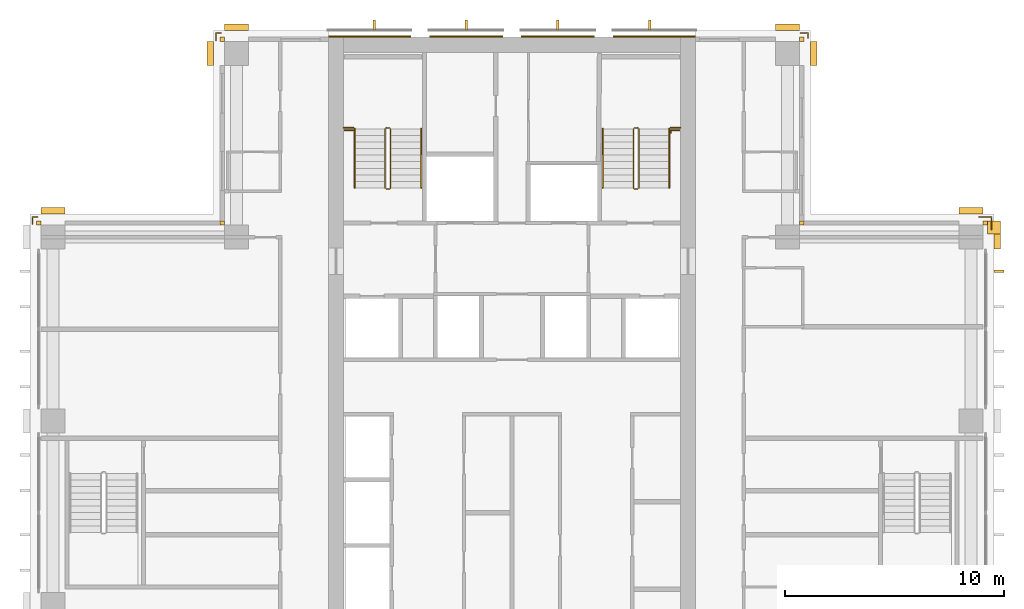
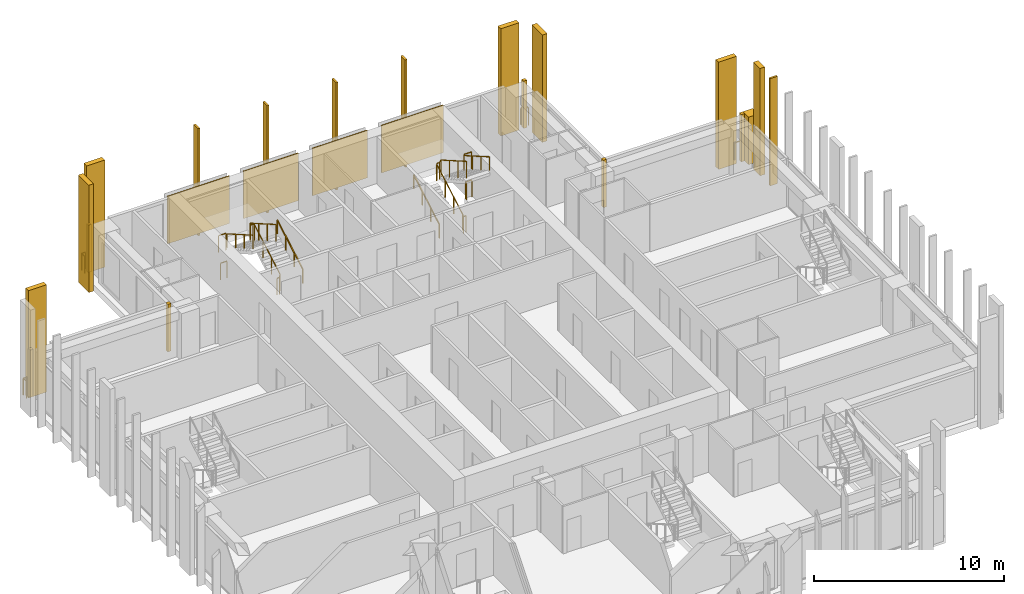
# One storey, part 16 of 16: 23 coverings, 14 railings.
"""IFC4 building model written with IfcOpenShell, lengths in metres."""

import ifcopenshell
import ifcopenshell.guid

model = None  # the IFC model being written
_history = None  # IfcOwnerHistory: only IFC2X3 demands one
_inside = {}  # id of a spatial element -> (the spatial element, [elements in it])
_under = {}  # id of a project, library or spatial element -> (it, [spatial elements below it])
_declared = {}  # id of a project -> (the project, [libraries it declares])
_typed = {}  # id of a type object -> (the type object, [elements of that type])
_made_of = {}  # id of a material, layer set ... -> (it, [elements and type objects made of it])


def new_model(schema):
    """Start an empty IFC model of exactly this schema.

    Asked for "IFC4X3", IfcOpenShell would pick the latest addendum, in which some entities
    have other attributes; the version numbers below select the first issue.
    IFC2X3 requires an IfcOwnerHistory on every rooted entity: one is made here for all.
    """
    global model, _history
    if schema == "IFC4X3":
        model = ifcopenshell.file(schema_version=(4, 3, 0, 0))
    else:
        model = ifcopenshell.file(schema=schema)
    _inside.clear()
    _under.clear()
    _declared.clear()
    _typed.clear()
    _made_of.clear()
    _history = None
    if model.schema == "IFC2X3":
        org = make("IfcOrganization", Name="unknown")
        user = make(
            "IfcPersonAndOrganization",
            ThePerson=make("IfcPerson", FamilyName="unknown"),
            TheOrganization=org,
        )
        app = make(
            "IfcApplication",
            ApplicationDeveloper=org,
            Version="unknown",
            ApplicationFullName="unknown",
            ApplicationIdentifier="unknown",
        )
        _history = make(
            "IfcOwnerHistory",
            OwningUser=user,
            OwningApplication=app,
            ChangeAction="ADDED",
            CreationDate=0,
        )
    return model


def make(cls, **values):
    """One entity of the class cls with the attributes given. An attribute that is None is left unset."""
    return model.create_entity(
        cls, **{name: value for name, value in values.items() if value is not None}
    )


def rooted(cls, **values):
    """An entity with a GlobalId (a new one), such as an element, a storey or a relation."""
    return make(cls, GlobalId=ifcopenshell.guid.new(), OwnerHistory=_history, **values)


def si_unit(unit_type, name, prefix=None):
    """IfcSIUnit, for example si_unit("LENGTHUNIT", "METRE", prefix="MILLI")."""
    return make("IfcSIUnit", UnitType=unit_type, Prefix=prefix, Name=name)


def assignment(units):
    """IfcUnitAssignment: the units of a project."""
    return None if units is None else make("IfcUnitAssignment", Units=units)


def point(xyz):
    """IfcCartesianPoint."""
    return None if xyz is None else make("IfcCartesianPoint", Coordinates=xyz)


def direction(xyz):
    """IfcDirection."""
    return None if xyz is None else make("IfcDirection", DirectionRatios=xyz)


def frame(location, z_axis=None, x_axis=None):
    """IfcAxis2Placement3D, a coordinate frame: its origin and axes. An axis left out is left unset."""
    return make(
        "IfcAxis2Placement3D",
        Location=point(location),
        Axis=direction(z_axis),
        RefDirection=direction(x_axis),
    )


def frame_2d(location, x_axis=None):
    """IfcAxis2Placement2D, a coordinate frame in the plane: its origin and x axis."""
    return make(
        "IfcAxis2Placement2D", Location=point(location), RefDirection=direction(x_axis)
    )


def origin():
    """The frame at (0, 0, 0) with its axes left unset."""
    return frame((0.0, 0.0, 0.0))


def origin_2d():
    """The frame at (0, 0) in the plane with its x axis left unset."""
    return frame_2d((0.0, 0.0))


def place(relative_to, where):
    """IfcLocalPlacement: puts the frame where relative to a parent placement (None: the world)."""
    return make(
        "IfcLocalPlacement", PlacementRelTo=relative_to, RelativePlacement=where
    )


def context(
    kind, dimensions, precision=None, world=None, true_north=None, identifier=None
):
    """IfcGeometricRepresentationContext, for example the 3D "Model" context."""
    return make(
        "IfcGeometricRepresentationContext",
        ContextIdentifier=identifier,
        ContextType=kind,
        CoordinateSpaceDimension=dimensions,
        Precision=precision,
        WorldCoordinateSystem=world,
        TrueNorth=true_north,
    )


def subcontext(parent, identifier, kind, view, scale=None):
    """IfcGeometricRepresentationSubContext, for example "Body" below "Model"."""
    return make(
        "IfcGeometricRepresentationSubContext",
        ContextIdentifier=identifier,
        ContextType=kind,
        ParentContext=parent,
        TargetScale=scale,
        TargetView=view,
    )


def project(units=None, contexts=None):
    """IfcProject with its units and contexts."""
    return rooted(
        "IfcProject",
        Name="project",
        RepresentationContexts=contexts,
        UnitsInContext=assignment(units),
    )


def spatial(cls, under=None, at=None, **own):
    """A site, building, storey or space (cls), placed at a placement, below another one or the project."""
    s = rooted(cls, ObjectPlacement=at, **own)
    if under is not None:
        _under.setdefault(under.id(), (under, []))[1].append(s)
    return s


def polyline(points):
    """IfcPolyline through the points."""
    return make("IfcPolyline", Points=[point(p) for p in points])


def profile(cls, at=None, kind="AREA", **sizes):
    """A parametric profile (cls). Its sizes go by their IFC names, for example OverallWidth=200.0."""
    return make(cls, ProfileType=kind, Position=at, **sizes)


def rectangle(**sizes):
    """IfcRectangleProfileDef."""
    return profile("IfcRectangleProfileDef", **sizes)


def outline(outer, holes=None, kind="AREA"):
    """IfcArbitraryClosedProfileDef: a profile drawn as a closed curve; with holes, ...WithVoids."""
    if holes is None:
        return make("IfcArbitraryClosedProfileDef", ProfileType=kind, OuterCurve=outer)
    return make(
        "IfcArbitraryProfileDefWithVoids",
        ProfileType=kind,
        OuterCurve=outer,
        InnerCurves=holes,
    )


def extrude(swept, where, along, depth):
    """IfcExtrudedAreaSolid: the profile swept, set in the frame where, extruded along a direction by depth."""
    return make(
        "IfcExtrudedAreaSolid",
        SweptArea=swept,
        Position=where,
        ExtrudedDirection=direction(along),
        Depth=depth,
    )


def shape(context_of_items, identifier, shape_type, items):
    """IfcShapeRepresentation: the items that make up one representation, for example the "Body"."""
    return make(
        "IfcShapeRepresentation",
        ContextOfItems=context_of_items,
        RepresentationIdentifier=identifier,
        RepresentationType=shape_type,
        Items=items,
    )


def material(Name=None, Category=None):
    """IfcMaterial."""
    return make("IfcMaterial", Name=Name, Category=Category)


def layer(
    of_material, thickness, ventilated=None, Name=None, Category=None, Priority=None
):
    """IfcMaterialLayer: one layer of a wall or slab, of a material (None: an air gap)."""
    return make(
        "IfcMaterialLayer",
        Material=of_material,
        LayerThickness=thickness,
        IsVentilated=ventilated,
        Name=Name,
        Category=Category,
        Priority=Priority,
    )


def layer_set(layers, Name=None):
    """IfcMaterialLayerSet."""
    return make("IfcMaterialLayerSet", MaterialLayers=layers, LayerSetName=Name)


def made_of(thing, what):
    """Note that an element or type object is made of a material, layer set ...; save() writes the relation."""
    if what is not None:
        _made_of.setdefault(what.id(), (what, []))[1].append(thing)
    return thing


def type_object(cls, material=None, **own):
    """A type object (cls), such as IfcWallType, which elements share."""
    return made_of(rooted(cls, **own), material)


def element(
    cls,
    number,
    at=None,
    inside=None,
    cuts=None,
    type_object=None,
    material=None,
    context=None,
    identifier="Body",
    shape_type=None,
    held_by="IfcProductDefinitionShape",
    body=None,
    shapes=None,
    **own,
):
    """One element of the class cls, such as IfcWall. Its Tag is "e" and its number.

    at: its placement. inside: the storey or other place that contains it. cuts: it is an
    opening in that element (IfcRelVoidsElement). A single representation is given by context,
    identifier, shape_type and body (its items); several are given by shapes. held_by: the class
    of the entity that holds the representations. save() writes the other relations.
    """
    e = rooted(cls, Tag="e%d" % number, ObjectPlacement=at, **own)
    if body is not None:
        shapes = [shape(context, identifier, shape_type, body)]
    if shapes is not None:
        e.Representation = make(held_by, Representations=shapes)
    if inside is not None:
        _inside.setdefault(inside.id(), (inside, []))[1].append(e)
    if cuts is not None:
        rooted(
            "IfcRelVoidsElement", RelatingBuildingElement=cuts, RelatedOpeningElement=e
        )
    if type_object is not None:
        _typed.setdefault(type_object.id(), (type_object, []))[1].append(e)
    return made_of(e, material)


def aggregate(whole, parts):
    """IfcRelAggregates: a whole, such as a stair, and the parts it consists of."""
    return rooted("IfcRelAggregates", RelatingObject=whole, RelatedObjects=parts)


def save(model, path):
    """Write the relations noted so far, then the file.

    IfcRelAggregates (storeys below a building ...), IfcRelContainedInSpatialStructure (elements
    in a storey), IfcRelDefinesByType, IfcRelAssociatesMaterial and IfcRelDeclares: one each for
    every whole, place, type object, material and project.
    """
    for whole, parts in _under.values():
        aggregate(whole, parts)
    for where, things in _inside.values():
        rooted(
            "IfcRelContainedInSpatialStructure",
            RelatedElements=things,
            RelatingStructure=where,
        )
    for kind, things in _typed.values():
        rooted("IfcRelDefinesByType", RelatedObjects=things, RelatingType=kind)
    for what, things in _made_of.values():
        rooted("IfcRelAssociatesMaterial", RelatedObjects=things, RelatingMaterial=what)
    for by, libraries in _declared.values():
        rooted("IfcRelDeclares", RelatingContext=by, RelatedDefinitions=libraries)
    model.write(path)


model = new_model("IFC4")

# Units and contexts
model_context = context("Model", 3, precision=1e-05, world=origin(), true_north=direction((0.0, 1.0)))
body_context = subcontext(model_context, "Body", "Model", "MODEL_VIEW")
ifc_project = project(units=[si_unit("LENGTHUNIT", "METRE"), si_unit("AREAUNIT", "SQUARE_METRE"), si_unit("VOLUMEUNIT", "CUBIC_METRE"), si_unit("PLANEANGLEUNIT", "RADIAN"), si_unit("MASSUNIT", "GRAM", prefix="KILO")], contexts=[model_context])

# Site, building, storey
site_placement = place(None, origin())
site = spatial("IfcSite", under=ifc_project, at=site_placement, CompositionType="ELEMENT")
building_placement = place(site_placement, origin())
building = spatial("IfcBuilding", under=site, at=building_placement, Name="Vermilion Ogive Tower", CompositionType="ELEMENT")
storey_placement = place(building_placement, frame((0.0, 0.0, 150.35009765625)))
storey = spatial("IfcBuildingStorey", under=building, at=storey_placement, Name="L38", CompositionType="ELEMENT", Elevation=150.35009765625)

# Coverings
ifc_material_1 = material(Name="Glazed ceramic screen")
ifc_layer = layer(ifc_material_1, 0.14990234375)
ifc_layer_set = layer_set([ifc_layer], Name="Ceramic solar screen fin")
covering_type_1 = type_object("IfcCoveringType", Name="Ceramic solar screen fin", PredefinedType="CLADDING", material=ifc_layer_set)
covering_1_placement = place(storey_placement, frame((0.0, 0.0, -0.400146484375)))
element("IfcCovering", 1, at=covering_1_placement, inside=storey, type_object=covering_type_1, Name="Solar screen blade E022", PredefinedType="CLADDING", context=body_context, shape_type="SweptSolid", body=[
    extrude(outline(polyline([(22.5, 10.9775390625), (22.5, 11.097412109375), (22.050048828125, 11.097412109375), (22.050048828125, 10.9775390625), (22.5, 10.9775390625)])), origin(), (0.0, 0.0, 1.0), 6.900146484375),
])
covering_2_placement = place(storey_placement, frame((0.0, 0.0, -0.400146484375)))
element("IfcCovering", 2, at=covering_2_placement, inside=storey, type_object=covering_type_1, Name="Solar screen blade N1", PredefinedType="CLADDING", context=body_context, shape_type="SweptSolid", body=[
    extrude(outline(polyline([(-6.360107421875, 22.08203125), (-6.239990234375, 22.08203125), (-6.239990234375, 22.531982421875), (-6.360107421875, 22.531982421875), (-6.360107421875, 22.08203125)])), origin(), (0.0, 0.0, 1.0), 6.900146484375),
])
covering_3_placement = place(storey_placement, frame((0.0, 0.0, -0.400146484375)))
element("IfcCovering", 3, at=covering_3_placement, inside=storey, type_object=covering_type_1, Name="Solar screen blade N2", PredefinedType="CLADDING", context=body_context, shape_type="SweptSolid", body=[
    extrude(outline(polyline([(-2.159912109375, 22.08203125), (-2.0400390625, 22.08203125), (-2.0400390625, 22.531982421875), (-2.159912109375, 22.531982421875), (-2.159912109375, 22.08203125)])), origin(), (0.0, 0.0, 1.0), 6.900146484375),
])
covering_4_placement = place(storey_placement, frame((0.0, 0.0, -0.400146484375)))
element("IfcCovering", 4, at=covering_4_placement, inside=storey, type_object=covering_type_1, Name="Solar screen blade N3", PredefinedType="CLADDING", context=body_context, shape_type="SweptSolid", body=[
    extrude(outline(polyline([(2.0400390625, 22.08203125), (2.159912109375, 22.08203125), (2.159912109375, 22.531982421875), (2.0400390625, 22.531982421875), (2.0400390625, 22.08203125)])), origin(), (0.0, 0.0, 1.0), 6.900146484375),
])
covering_5_placement = place(storey_placement, frame((0.0, 0.0, -0.400146484375)))
element("IfcCovering", 5, at=covering_5_placement, inside=storey, type_object=covering_type_1, Name="Solar screen blade N4", PredefinedType="CLADDING", context=body_context, shape_type="SweptSolid", body=[
    extrude(outline(polyline([(6.239990234375, 22.08203125), (6.360107421875, 22.08203125), (6.360107421875, 22.531982421875), (6.239990234375, 22.531982421875), (6.239990234375, 22.08203125)])), origin(), (0.0, 0.0, 1.0), 6.900146484375),
])

# Railings
ifc_material_2 = material(Name="Stainless steel", Category="steel")
railing_type_1 = type_object("IfcRailingType", Name="Slab edge guard SG1", PredefinedType="GUARDRAIL", material=ifc_material_2)
railing_1_placement = place(storey_placement, frame((-21.929931640625, 13.199951171875, 0.0)))
element("IfcRailing", 6, at=railing_1_placement, inside=storey, type_object=railing_type_1, Name="L38 slab corner guard", PredefinedType="GUARDRAIL", context=body_context, shape_type="SweptSolid", body=[
    extrude(rectangle(XDim=0.050048828125, YDim=0.050048828125, at=origin_2d()), frame((0.0, 0.0, 1.0751953125), z_axis=(0.0, 1.0, 0.0), x_axis=(-1.0, 0.0, 0.0)), (0.0, 0.0, 1.0), 0.330078125),
    extrude(rectangle(XDim=0.050048828125, YDim=0.050048828125, at=origin_2d()), frame((0.0, 0.330078125, 1.0751953125), z_axis=(1.0, 0.0, 0.0), x_axis=(0.0, 1.0, 0.0)), (0.0, 0.0, 1.0), 0.22998046875),
    extrude(rectangle(XDim=0.050048828125, YDim=0.050048828125, at=origin_2d()), origin(), (0.0, 0.0, 1.0), 1.050048828125),
    extrude(rectangle(XDim=0.050048828125, YDim=0.050048828125, at=origin_2d()), frame((0.0, 0.330078125, 0.0)), (0.0, 0.0, 1.0), 1.050048828125),
    extrude(rectangle(XDim=0.050048828125, YDim=0.050048828125, at=origin_2d()), frame((0.22998046875, 0.330078125, 0.0)), (0.0, 0.0, 1.0), 1.050048828125),
])
railing_2_placement = place(storey_placement, frame((-13.530029296875, 21.60009765625, 0.0)))
element("IfcRailing", 7, at=railing_2_placement, inside=storey, type_object=railing_type_1, Name="L38 slab corner guard", PredefinedType="GUARDRAIL", context=body_context, shape_type="SweptSolid", body=[
    extrude(rectangle(XDim=0.050048828125, YDim=0.050048828125, at=origin_2d()), frame((0.0, 0.0, 1.0751953125), z_axis=(0.0, 1.0, 0.0), x_axis=(-1.0, 0.0, 0.0)), (0.0, 0.0, 1.0), 0.329833984375),
    extrude(rectangle(XDim=0.050048828125, YDim=0.050048828125, at=origin_2d()), frame((0.0, 0.329833984375, 1.0751953125), z_axis=(1.0, 0.0, 0.0), x_axis=(0.0, 1.0, 0.0)), (0.0, 0.0, 1.0), 0.22998046875),
    extrude(rectangle(XDim=0.050048828125, YDim=0.050048828125, at=origin_2d()), origin(), (0.0, 0.0, 1.0), 1.050048828125),
    extrude(rectangle(XDim=0.050048828125, YDim=0.050048828125, at=origin_2d()), frame((0.0, 0.329833984375, 0.0)), (0.0, 0.0, 1.0), 1.050048828125),
    extrude(rectangle(XDim=0.050048828125, YDim=0.050048828125, at=origin_2d()), frame((0.22998046875, 0.329833984375, 0.0)), (0.0, 0.0, 1.0), 1.050048828125),
])
railing_3_placement = place(storey_placement, frame((13.199951171875, 21.929931640625, 0.0)))
element("IfcRailing", 8, at=railing_3_placement, inside=storey, type_object=railing_type_1, Name="L38 slab corner guard", PredefinedType="GUARDRAIL", context=body_context, shape_type="SweptSolid", body=[
    extrude(rectangle(XDim=0.050048828125, YDim=0.050048828125, at=origin_2d()), frame((0.0, 0.0, 1.0751953125), z_axis=(1.0, 0.0, 0.0), x_axis=(0.0, 1.0, 0.0)), (0.0, 0.0, 1.0), 0.330078125),
    extrude(rectangle(XDim=0.050048828125, YDim=0.050048828125, at=origin_2d()), frame((0.330078125, 0.0, 1.0751953125), z_axis=(0.0, -1.0, 0.0), x_axis=(1.0, 0.0, 0.0)), (0.0, 0.0, 1.0), 0.22998046875),
    extrude(rectangle(XDim=0.050048828125, YDim=0.050048828125, at=origin_2d()), origin(), (0.0, 0.0, 1.0), 1.050048828125),
    extrude(rectangle(XDim=0.050048828125, YDim=0.050048828125, at=origin_2d()), frame((0.330078125, 0.0, 0.0)), (0.0, 0.0, 1.0), 1.050048828125),
    extrude(rectangle(XDim=0.050048828125, YDim=0.050048828125, at=origin_2d()), frame((0.330078125, -0.22998046875, 0.0)), (0.0, 0.0, 1.0), 1.050048828125),
])
railing_4_placement = place(storey_placement, frame((21.929931640625, 12.949951171875, 0.0)))
element("IfcRailing", 9, at=railing_4_placement, inside=storey, type_object=railing_type_1, Name="L38 slab corner guard", PredefinedType="GUARDRAIL", context=body_context, shape_type="SweptSolid", body=[
    extrude(rectangle(XDim=0.050048828125, YDim=0.050048828125, at=origin_2d()), frame((0.0, 0.0, 1.0751953125), z_axis=(0.0, 1.0, 0.0), x_axis=(-1.0, 0.0, 0.0)), (0.0, 0.0, 1.0), 0.580078125),
    extrude(rectangle(XDim=0.050048828125, YDim=0.050048828125, at=origin_2d()), frame((0.0, 0.580078125, 1.0751953125), z_axis=(-1.0, 0.0, 0.0), x_axis=(0.0, -1.0, 0.0)), (0.0, 0.0, 1.0), 0.579833984375),
    extrude(rectangle(XDim=0.050048828125, YDim=0.050048828125, at=origin_2d()), origin(), (0.0, 0.0, 1.0), 1.050048828125),
    extrude(rectangle(XDim=0.050048828125, YDim=0.050048828125, at=origin_2d()), frame((0.0, 0.580078125, 0.0)), (0.0, 0.0, 1.0), 1.050048828125),
    extrude(rectangle(XDim=0.050048828125, YDim=0.050048828125, at=origin_2d()), frame((-0.579833984375, 0.580078125, 0.0)), (0.0, 0.0, 1.0), 1.050048828125),
])
ifc_material_3 = material(Name="Steel S355 painted", Category="steel")
railing_type_2 = type_object("IfcRailingType", Name="Stair guard 1100", PredefinedType="GUARDRAIL", material=ifc_material_3)
railing_5_placement = place(storey_placement, frame((-5.75, 14.800048828125, 0.0)))
element("IfcRailing", 10, at=railing_5_placement, inside=storey, type_object=railing_type_2, Name="L38 ST1 stair guard 4", PredefinedType="GUARDRAIL", context=body_context, shape_type="SweptSolid", body=[
    extrude(rectangle(XDim=0.048095703125, YDim=0.048095703125, at=origin_2d()), frame((0.0, 0.0, 1.076171875), z_axis=(1.0, 0.0, 0.0), x_axis=(0.0, 1.0, 0.0)), (0.0, 0.0, 1.0), 0.14990234375),
    extrude(rectangle(XDim=0.048095703125, YDim=0.048095703125, at=origin_2d()), frame((0.14990234375, 0.0, 1.076171875), z_axis=(0.268603158521, 0.268603158521, 0.925043072762), x_axis=(-0.707106781187, 0.707106781187, 0.0)), (0.0, 0.0, 1.0), 0.186279296875),
    extrude(rectangle(XDim=0.048095703125, YDim=0.048095703125, at=origin_2d()), frame((0.199951171875, 0.050048828125, 1.24853515625), z_axis=(0.0, 0.866903762492, 0.498475542607), x_axis=(-1.0, 0.0, 0.0)), (0.0, 0.0, 1.0), 3.114501953125),
    extrude(rectangle(XDim=0.048095703125, YDim=0.048095703125, at=origin_2d()), frame((0.199951171875, 2.75, 2.80078125), z_axis=(-0.707106781187, 0.707106781187, 0.0), x_axis=(-0.707106781187, -0.707106781187, 0.0)), (0.0, 0.0, 1.0), 0.07080078125),
    extrude(rectangle(XDim=0.048095703125, YDim=0.048095703125, at=origin_2d()), frame((0.14990234375, 2.800048828125, 2.80078125), z_axis=(-1.0, 0.0, 0.0), x_axis=(0.0, -1.0, 0.0)), (0.0, 0.0, 1.0), 0.14990234375),
    extrude(rectangle(XDim=0.048095703125, YDim=0.048095703125, at=origin_2d()), frame((0.0, 2.800048828125, 2.80078125), z_axis=(-0.268277960024, -0.268277960024, 0.925231793839), x_axis=(0.707106781187, -0.707106781187, 0.0)), (0.0, 0.0, 1.0), 0.1865234375),
    extrude(rectangle(XDim=0.048095703125, YDim=0.048095703125, at=origin_2d()), frame((-0.050048828125, 2.75, 2.9736328125), z_axis=(0.0, -0.866903762492, 0.498475542607), x_axis=(1.0, 0.0, 0.0)), (0.0, 0.0, 1.0), 3.114501953125),
    extrude(rectangle(XDim=0.0419921875, YDim=0.0419921875, at=origin_2d()), origin(), (0.0, 0.0, 1.0), 1.052001953125),
    extrude(rectangle(XDim=0.0419921875, YDim=0.0419921875, at=origin_2d()), frame((0.14990234375, 0.0, 0.0)), (0.0, 0.0, 1.0), 1.052001953125),
    extrude(rectangle(XDim=0.0419921875, YDim=0.0419921875, at=origin_2d()), frame((0.199951171875, 0.050048828125, 0.17236328125)), (0.0, 0.0, 1.0), 1.052001953125),
    extrude(rectangle(XDim=0.0419921875, YDim=0.0419921875, at=origin_2d()), frame((0.199951171875, 0.949951171875, 0.68994140625)), (0.0, 0.0, 1.0), 1.052001953125),
    extrude(rectangle(XDim=0.0419921875, YDim=0.0419921875, at=origin_2d()), frame((0.199951171875, 1.85009765625, 1.207275390625)), (0.0, 0.0, 1.0), 1.052001953125),
    extrude(rectangle(XDim=0.0419921875, YDim=0.0419921875, at=origin_2d()), frame((0.199951171875, 2.75, 1.724853515625)), (0.0, 0.0, 1.0), 1.052001953125),
    extrude(rectangle(XDim=0.0419921875, YDim=0.0419921875, at=origin_2d()), frame((0.14990234375, 2.800048828125, 1.724853515625)), (0.0, 0.0, 1.0), 1.052001953125),
    extrude(rectangle(XDim=0.0419921875, YDim=0.0419921875, at=origin_2d()), frame((0.0, 2.800048828125, 1.724853515625)), (0.0, 0.0, 1.0), 1.052001953125),
    extrude(rectangle(XDim=0.0419921875, YDim=0.0419921875, at=origin_2d()), frame((-0.050048828125, 2.75, 1.8974609375)), (0.0, 0.0, 1.0), 1.052001953125),
    extrude(rectangle(XDim=0.0419921875, YDim=0.0419921875, at=origin_2d()), frame((-0.050048828125, 1.85009765625, 2.4150390625)), (0.0, 0.0, 1.0), 1.052001953125),
    extrude(rectangle(XDim=0.0419921875, YDim=0.0419921875, at=origin_2d()), frame((-0.050048828125, 0.949951171875, 2.932373046875)), (0.0, 0.0, 1.0), 1.052001953125),
    extrude(rectangle(XDim=0.0419921875, YDim=0.0419921875, at=origin_2d()), frame((-0.050048828125, 0.050048828125, 3.449951171875)), (0.0, 0.0, 1.0), 1.052001953125),
])
railing_6_placement = place(storey_placement, frame((5.75, 14.800048828125, 0.0)))
element("IfcRailing", 11, at=railing_6_placement, inside=storey, type_object=railing_type_2, Name="L38 ST2 stair guard 4", PredefinedType="GUARDRAIL", context=body_context, shape_type="SweptSolid", body=[
    extrude(rectangle(XDim=0.048095703125, YDim=0.048095703125, at=origin_2d()), frame((0.0, 0.0, 1.076171875), z_axis=(-1.0, 0.0, 0.0), x_axis=(0.0, -1.0, 0.0)), (0.0, 0.0, 1.0), 0.14990234375),
    extrude(rectangle(XDim=0.048095703125, YDim=0.048095703125, at=origin_2d()), frame((-0.14990234375, 0.0, 1.076171875), z_axis=(-0.268603158521, 0.268603158521, 0.925043072762), x_axis=(-0.707106781187, -0.707106781187, 0.0)), (0.0, 0.0, 1.0), 0.186279296875),
    extrude(rectangle(XDim=0.048095703125, YDim=0.048095703125, at=origin_2d()), frame((-0.199951171875, 0.050048828125, 1.24853515625), z_axis=(0.0, 0.866903762492, 0.498475542607), x_axis=(-1.0, 0.0, 0.0)), (0.0, 0.0, 1.0), 3.114501953125),
    extrude(rectangle(XDim=0.048095703125, YDim=0.048095703125, at=origin_2d()), frame((-0.199951171875, 2.75, 2.80078125), z_axis=(0.707106781187, 0.707106781187, 0.0), x_axis=(-0.707106781187, 0.707106781187, 0.0)), (0.0, 0.0, 1.0), 0.07080078125),
    extrude(rectangle(XDim=0.048095703125, YDim=0.048095703125, at=origin_2d()), frame((-0.14990234375, 2.800048828125, 2.80078125), z_axis=(1.0, 0.0, 0.0), x_axis=(0.0, 1.0, 0.0)), (0.0, 0.0, 1.0), 0.14990234375),
    extrude(rectangle(XDim=0.048095703125, YDim=0.048095703125, at=origin_2d()), frame((0.0, 2.800048828125, 2.80078125), z_axis=(0.268277960024, -0.268277960024, 0.925231793839), x_axis=(0.707106781187, 0.707106781187, 0.0)), (0.0, 0.0, 1.0), 0.1865234375),
    extrude(rectangle(XDim=0.048095703125, YDim=0.048095703125, at=origin_2d()), frame((0.050048828125, 2.75, 2.9736328125), z_axis=(0.0, -0.866903762492, 0.498475542607), x_axis=(1.0, 0.0, 0.0)), (0.0, 0.0, 1.0), 3.114501953125),
    extrude(rectangle(XDim=0.0419921875, YDim=0.0419921875, at=origin_2d()), origin(), (0.0, 0.0, 1.0), 1.052001953125),
    extrude(rectangle(XDim=0.0419921875, YDim=0.0419921875, at=origin_2d()), frame((-0.14990234375, 0.0, 0.0)), (0.0, 0.0, 1.0), 1.052001953125),
    extrude(rectangle(XDim=0.0419921875, YDim=0.0419921875, at=origin_2d()), frame((-0.199951171875, 0.050048828125, 0.17236328125)), (0.0, 0.0, 1.0), 1.052001953125),
    extrude(rectangle(XDim=0.0419921875, YDim=0.0419921875, at=origin_2d()), frame((-0.199951171875, 0.949951171875, 0.68994140625)), (0.0, 0.0, 1.0), 1.052001953125),
    extrude(rectangle(XDim=0.0419921875, YDim=0.0419921875, at=origin_2d()), frame((-0.199951171875, 1.85009765625, 1.207275390625)), (0.0, 0.0, 1.0), 1.052001953125),
    extrude(rectangle(XDim=0.0419921875, YDim=0.0419921875, at=origin_2d()), frame((-0.199951171875, 2.75, 1.724853515625)), (0.0, 0.0, 1.0), 1.052001953125),
    extrude(rectangle(XDim=0.0419921875, YDim=0.0419921875, at=origin_2d()), frame((-0.14990234375, 2.800048828125, 1.724853515625)), (0.0, 0.0, 1.0), 1.052001953125),
    extrude(rectangle(XDim=0.0419921875, YDim=0.0419921875, at=origin_2d()), frame((0.0, 2.800048828125, 1.724853515625)), (0.0, 0.0, 1.0), 1.052001953125),
    extrude(rectangle(XDim=0.0419921875, YDim=0.0419921875, at=origin_2d()), frame((0.050048828125, 2.75, 1.8974609375)), (0.0, 0.0, 1.0), 1.052001953125),
    extrude(rectangle(XDim=0.0419921875, YDim=0.0419921875, at=origin_2d()), frame((0.050048828125, 1.85009765625, 2.4150390625)), (0.0, 0.0, 1.0), 1.052001953125),
    extrude(rectangle(XDim=0.0419921875, YDim=0.0419921875, at=origin_2d()), frame((0.050048828125, 0.949951171875, 2.932373046875)), (0.0, 0.0, 1.0), 1.052001953125),
    extrude(rectangle(XDim=0.0419921875, YDim=0.0419921875, at=origin_2d()), frame((0.050048828125, 0.050048828125, 3.449951171875)), (0.0, 0.0, 1.0), 1.052001953125),
])
for number, where, name in (
    (12, (-7.699951171875, 17.60009765625, 1.724853515625), "L38 landing guard"),
    (13, (7.25, 17.60009765625, 1.724853515625), "L38 landing guard"),
):
    element("IfcRailing", number, at=place(storey_placement, frame(where)), inside=storey, type_object=railing_type_2, Name=name, PredefinedType="GUARDRAIL", context=body_context, shape_type="SweptSolid", body=[
        extrude(rectangle(XDim=0.048095703125, YDim=0.048095703125, at=origin_2d()), frame((0.0, 0.0, 1.076171875), z_axis=(1.0, 0.0, 0.0), x_axis=(0.0, 1.0, 0.0)), (0.0, 0.0, 1.0), 0.449951171875),
        extrude(rectangle(XDim=0.0419921875, YDim=0.0419921875, at=origin_2d()), origin(), (0.0, 0.0, 1.0), 1.052001953125),
        extrude(rectangle(XDim=0.0419921875, YDim=0.0419921875, at=origin_2d()), frame((0.449951171875, 0.0, 0.0)), (0.0, 0.0, 1.0), 1.052001953125),
    ])
railing_7_placement = place(storey_placement, frame((-7.639892578125, 17.489990234375, 0.0)))
element("IfcRailing", 14, at=railing_7_placement, inside=storey, type_object=railing_type_2, Name="L38 stair opening guard", PredefinedType="GUARDRAIL", context=body_context, shape_type="SweptSolid", body=[
    extrude(rectangle(XDim=0.048095703125, YDim=0.048095703125, at=origin_2d()), frame((0.0, 0.0, 1.076171875), z_axis=(1.0, 0.0, 0.0), x_axis=(0.0, 1.0, 0.0)), (0.0, 0.0, 1.0), 0.389892578125),
    extrude(rectangle(XDim=0.0419921875, YDim=0.0419921875, at=origin_2d()), origin(), (0.0, 0.0, 1.0), 1.052001953125),
    extrude(rectangle(XDim=0.0419921875, YDim=0.0419921875, at=origin_2d()), frame((0.389892578125, 0.0, 0.0)), (0.0, 0.0, 1.0), 1.052001953125),
])
railing_8_placement = place(storey_placement, frame((7.267578125, 17.372802734375, 0.0)))
element("IfcRailing", 15, at=railing_8_placement, inside=storey, type_object=railing_type_2, Name="L38 stair opening guard", PredefinedType="GUARDRAIL", context=body_context, shape_type="SweptSolid", body=[
    extrude(rectangle(XDim=0.048095703125, YDim=0.048095703125, at=origin_2d()), frame((0.0, 0.0, 1.076171875), z_axis=(0.0, 1.0, 0.0), x_axis=(-1.0, 0.0, 0.0)), (0.0, 0.0, 1.0), 0.119873046875),
    extrude(rectangle(XDim=0.048095703125, YDim=0.048095703125, at=origin_2d()), frame((0.0, 0.119873046875, 1.076171875), z_axis=(1.0, 0.0, 0.0), x_axis=(0.0, 1.0, 0.0)), (0.0, 0.0, 1.0), 0.39013671875),
    extrude(rectangle(XDim=0.0419921875, YDim=0.0419921875, at=origin_2d()), origin(), (0.0, 0.0, 1.0), 1.052001953125),
    extrude(rectangle(XDim=0.0419921875, YDim=0.0419921875, at=origin_2d()), frame((0.0, 0.119873046875, 0.0)), (0.0, 0.0, 1.0), 1.052001953125),
    extrude(rectangle(XDim=0.0419921875, YDim=0.0419921875, at=origin_2d()), frame((0.39013671875, 0.119873046875, 0.0)), (0.0, 0.0, 1.0), 1.052001953125),
])
ifc_material_4 = material(Name="Stainless steel", Category="steel")
railing_type_3 = type_object("IfcRailingType", Name="Stair handrail 900", PredefinedType="HANDRAIL", material=ifc_material_4)
railing_9_placement = place(storey_placement, frame((-4.14990234375, 14.85009765625, 0.17236328125)))
element("IfcRailing", 16, at=railing_9_placement, inside=storey, type_object=railing_type_3, Name="L38 ST1 stair handrail 1", PredefinedType="HANDRAIL", context=body_context, shape_type="SweptSolid", body=[
    extrude(rectangle(XDim=0.048095703125, YDim=0.048095703125, at=origin_2d()), frame((0.0, 0.0, 0.8759765625), z_axis=(0.0, 0.866903762492, 0.498475542607), x_axis=(-1.0, 0.0, 0.0)), (0.0, 0.0, 1.0), 3.114501953125),
    extrude(rectangle(XDim=0.0419921875, YDim=0.0419921875, at=origin_2d()), origin(), (0.0, 0.0, 1.0), 0.851806640625),
    extrude(rectangle(XDim=0.0419921875, YDim=0.0419921875, at=origin_2d()), frame((0.0, 0.89990234375, 0.517578125)), (0.0, 0.0, 1.0), 0.851806640625),
    extrude(rectangle(XDim=0.0419921875, YDim=0.0419921875, at=origin_2d()), frame((0.0, 1.800048828125, 1.034912109375)), (0.0, 0.0, 1.0), 0.851806640625),
    extrude(rectangle(XDim=0.0419921875, YDim=0.0419921875, at=origin_2d()), frame((0.0, 2.699951171875, 1.552490234375)), (0.0, 0.0, 1.0), 0.851806640625),
])
railing_10_placement = place(storey_placement, frame((-7.199951171875, 17.550048828125, 1.8974609375)))
element("IfcRailing", 17, at=railing_10_placement, inside=storey, type_object=railing_type_3, Name="L38 ST1 stair handrail 2", PredefinedType="HANDRAIL", context=body_context, shape_type="SweptSolid", body=[
    extrude(rectangle(XDim=0.048095703125, YDim=0.048095703125, at=origin_2d()), frame((0.0, 0.0, 0.8759765625), z_axis=(0.0, -0.866903762492, 0.498475542607), x_axis=(1.0, 0.0, 0.0)), (0.0, 0.0, 1.0), 3.114501953125),
    extrude(rectangle(XDim=0.0419921875, YDim=0.0419921875, at=origin_2d()), origin(), (0.0, 0.0, 1.0), 0.851806640625),
    extrude(rectangle(XDim=0.0419921875, YDim=0.0419921875, at=origin_2d()), frame((0.0, -0.89990234375, 0.517578125)), (0.0, 0.0, 1.0), 0.851806640625),
    extrude(rectangle(XDim=0.0419921875, YDim=0.0419921875, at=origin_2d()), frame((0.0, -1.800048828125, 1.034912109375)), (0.0, 0.0, 1.0), 0.851806640625),
    extrude(rectangle(XDim=0.0419921875, YDim=0.0419921875, at=origin_2d()), frame((0.0, -2.699951171875, 1.552490234375)), (0.0, 0.0, 1.0), 0.851806640625),
])
railing_11_placement = place(storey_placement, frame((4.14990234375, 14.85009765625, 0.17236328125)))
element("IfcRailing", 18, at=railing_11_placement, inside=storey, type_object=railing_type_3, Name="L38 ST2 stair handrail 1", PredefinedType="HANDRAIL", context=body_context, shape_type="SweptSolid", body=[
    extrude(rectangle(XDim=0.048095703125, YDim=0.048095703125, at=origin_2d()), frame((0.0, 0.0, 0.8759765625), z_axis=(0.0, 0.866903762492, 0.498475542607), x_axis=(-1.0, 0.0, 0.0)), (0.0, 0.0, 1.0), 3.114501953125),
    extrude(rectangle(XDim=0.0419921875, YDim=0.0419921875, at=origin_2d()), origin(), (0.0, 0.0, 1.0), 0.851806640625),
    extrude(rectangle(XDim=0.0419921875, YDim=0.0419921875, at=origin_2d()), frame((0.0, 0.89990234375, 0.517578125)), (0.0, 0.0, 1.0), 0.851806640625),
    extrude(rectangle(XDim=0.0419921875, YDim=0.0419921875, at=origin_2d()), frame((0.0, 1.800048828125, 1.034912109375)), (0.0, 0.0, 1.0), 0.851806640625),
    extrude(rectangle(XDim=0.0419921875, YDim=0.0419921875, at=origin_2d()), frame((0.0, 2.699951171875, 1.552490234375)), (0.0, 0.0, 1.0), 0.851806640625),
])
railing_12_placement = place(storey_placement, frame((7.199951171875, 17.550048828125, 1.8974609375)))
element("IfcRailing", 19, at=railing_12_placement, inside=storey, type_object=railing_type_3, Name="L38 ST2 stair handrail 2", PredefinedType="HANDRAIL", context=body_context, shape_type="SweptSolid", body=[
    extrude(rectangle(XDim=0.048095703125, YDim=0.048095703125, at=origin_2d()), frame((0.0, 0.0, 0.8759765625), z_axis=(0.0, -0.866903762492, 0.498475542607), x_axis=(1.0, 0.0, 0.0)), (0.0, 0.0, 1.0), 3.114501953125),
    extrude(rectangle(XDim=0.0419921875, YDim=0.0419921875, at=origin_2d()), origin(), (0.0, 0.0, 1.0), 0.851806640625),
    extrude(rectangle(XDim=0.0419921875, YDim=0.0419921875, at=origin_2d()), frame((0.0, -0.89990234375, 0.517578125)), (0.0, 0.0, 1.0), 0.851806640625),
    extrude(rectangle(XDim=0.0419921875, YDim=0.0419921875, at=origin_2d()), frame((0.0, -1.800048828125, 1.034912109375)), (0.0, 0.0, 1.0), 0.851806640625),
    extrude(rectangle(XDim=0.0419921875, YDim=0.0419921875, at=origin_2d()), frame((0.0, -2.699951171875, 1.552490234375)), (0.0, 0.0, 1.0), 0.851806640625),
])

# Coverings
ifc_material_5 = material(Name="Stone cladding", Category="masonry")
covering_type_2 = type_object("IfcCoveringType", Name="Stone cladding panel", PredefinedType="CLADDING", material=ifc_material_5)
covering_6_placement = place(storey_placement, origin())
element("IfcCovering", 20, at=covering_6_placement, inside=storey, type_object=covering_type_2, Name="Stone cladding panel N1", PredefinedType="CLADDING", context=body_context, shape_type="SweptSolid", body=[
    extrude(outline(polyline([(-8.389892578125, 21.75), (-4.6298828125, 21.75), (-4.6298828125, 21.81005859375), (-8.389892578125, 21.81005859375), (-8.389892578125, 21.75)])), origin(), (0.0, 0.0, 1.0), 3.0498046875),
])
covering_7_placement = place(storey_placement, origin())
element("IfcCovering", 21, at=covering_7_placement, inside=storey, type_object=covering_type_2, Name="Stone cladding panel N2", PredefinedType="CLADDING", context=body_context, shape_type="SweptSolid", body=[
    extrude(outline(polyline([(-3.77001953125, 21.75), (-0.429931640625, 21.75), (-0.429931640625, 21.81005859375), (-3.77001953125, 21.81005859375), (-3.77001953125, 21.75)])), origin(), (0.0, 0.0, 1.0), 3.0498046875),
])
covering_8_placement = place(storey_placement, origin())
element("IfcCovering", 22, at=covering_8_placement, inside=storey, type_object=covering_type_2, Name="Stone cladding panel N3", PredefinedType="CLADDING", context=body_context, shape_type="SweptSolid", body=[
    extrude(outline(polyline([(0.429931640625, 21.75), (3.77001953125, 21.75), (3.77001953125, 21.81005859375), (0.429931640625, 21.81005859375), (0.429931640625, 21.75)])), origin(), (0.0, 0.0, 1.0), 3.0498046875),
])
covering_9_placement = place(storey_placement, origin())
element("IfcCovering", 23, at=covering_9_placement, inside=storey, type_object=covering_type_2, Name="Stone cladding panel N4", PredefinedType="CLADDING", context=body_context, shape_type="SweptSolid", body=[
    extrude(outline(polyline([(4.6298828125, 21.75), (8.389892578125, 21.75), (8.389892578125, 21.81005859375), (4.6298828125, 21.81005859375), (4.6298828125, 21.75)])), origin(), (0.0, 0.0, 1.0), 3.0498046875),
])
ifc_material_6 = material(Name="Stone cladding", Category="masonry")
covering_type_3 = type_object("IfcCoveringType", Name="Stone corner buttress", PredefinedType="CLADDING", material=ifc_material_6)
covering_10_placement = place(storey_placement, origin())
element("IfcCovering", 24, at=covering_10_placement, inside=storey, type_object=covering_type_3, Name="Stone crease pier EK", PredefinedType="CLADDING", context=body_context, shape_type="SweptSolid", body=[
    extrude(outline(polyline([(22.35009765625, 12.75), (22.35009765625, 13.35009765625), (21.75, 13.35009765625), (21.75, 12.75), (22.35009765625, 12.75)])), origin(), (0.0, 0.0, 1.0), 3.0498046875),
])
ifc_material_7 = material(Name="Stone cladding", Category="masonry")
covering_type_4 = type_object("IfcCoveringType", Name="Stone pier", PredefinedType="CLADDING", material=ifc_material_7)
covering_11_placement = place(storey_placement, origin())
element("IfcCovering", 25, at=covering_11_placement, inside=storey, type_object=covering_type_4, Name="Stone corner pier EE1", PredefinedType="CLADDING", context=body_context, shape_type="SweptSolid", body=[
    extrude(outline(polyline([(21.75, 13.14990234375), (21.550048828125, 13.14990234375), (21.550048828125, 13.35009765625), (21.75, 13.35009765625), (21.75, 13.14990234375)])), origin(), (0.0, 0.0, 1.0), 3.0498046875),
])
covering_12_placement = place(storey_placement, origin())
element("IfcCovering", 26, at=covering_12_placement, inside=storey, type_object=covering_type_4, Name="Stone corner pier X3E1", PredefinedType="CLADDING", context=body_context, shape_type="SweptSolid", body=[
    extrude(outline(polyline([(13.14990234375, 13.14990234375), (13.14990234375, 13.35009765625), (13.35009765625, 13.35009765625), (13.35009765625, 13.14990234375), (13.14990234375, 13.14990234375)])), origin(), (0.0, 0.0, 1.0), 3.0498046875),
])
covering_13_placement = place(storey_placement, origin())
element("IfcCovering", 27, at=covering_13_placement, inside=storey, type_object=covering_type_4, Name="Stone corner pier X4E1", PredefinedType="CLADDING", context=body_context, shape_type="SweptSolid", body=[
    extrude(outline(polyline([(13.35009765625, 21.550048828125), (13.14990234375, 21.550048828125), (13.14990234375, 21.75), (13.35009765625, 21.75), (13.35009765625, 21.550048828125)])), origin(), (0.0, 0.0, 1.0), 3.0498046875),
])
covering_14_placement = place(storey_placement, origin())
element("IfcCovering", 28, at=covering_14_placement, inside=storey, type_object=covering_type_4, Name="Stone corner pier N2E1", PredefinedType="CLADDING", context=body_context, shape_type="SweptSolid", body=[
    extrude(outline(polyline([(-13.14990234375, 21.75), (-13.14990234375, 21.550048828125), (-13.35009765625, 21.550048828125), (-13.35009765625, 21.75), (-13.14990234375, 21.75)])), origin(), (0.0, 0.0, 1.0), 3.0498046875),
])
covering_15_placement = place(storey_placement, origin())
element("IfcCovering", 29, at=covering_15_placement, inside=storey, type_object=covering_type_4, Name="Stone corner pier X5E1", PredefinedType="CLADDING", context=body_context, shape_type="SweptSolid", body=[
    extrude(outline(polyline([(-13.14990234375, 13.14990234375), (-13.35009765625, 13.14990234375), (-13.35009765625, 13.35009765625), (-13.14990234375, 13.35009765625), (-13.14990234375, 13.14990234375)])), origin(), (0.0, 0.0, 1.0), 3.0498046875),
])
covering_16_placement = place(storey_placement, origin())
element("IfcCovering", 30, at=covering_16_placement, inside=storey, type_object=covering_type_4, Name="Stone corner pier X6E1", PredefinedType="CLADDING", context=body_context, shape_type="SweptSolid", body=[
    extrude(outline(polyline([(-21.550048828125, 13.35009765625), (-21.550048828125, 13.14990234375), (-21.75, 13.14990234375), (-21.75, 13.35009765625), (-21.550048828125, 13.35009765625)])), origin(), (0.0, 0.0, 1.0), 3.0498046875),
])
covering_17_placement = place(storey_placement, frame((0.0, 0.0, -0.400146484375)))
element("IfcCovering", 31, at=covering_17_placement, inside=storey, type_object=covering_type_4, Name="Stone pier P+0126+210X4", PredefinedType="CLADDING", context=body_context, shape_type="SweptSolid", body=[
    extrude(outline(polyline([(13.949951171875, 21.550048828125), (13.949951171875, 20.449951171875), (13.64990234375, 20.449951171875), (13.64990234375, 21.550048828125), (13.949951171875, 21.550048828125)])), origin(), (0.0, 0.0, 1.0), 6.900146484375),
])
covering_18_placement = place(storey_placement, frame((0.0, 0.0, -0.400146484375)))
element("IfcCovering", 32, at=covering_18_placement, inside=storey, type_object=covering_type_4, Name="Stone pier P+0126+210N1", PredefinedType="CLADDING", context=body_context, shape_type="SweptSolid", body=[
    extrude(outline(polyline([(13.14990234375, 22.35009765625), (13.14990234375, 22.050048828125), (12.050048828125, 22.050048828125), (12.050048828125, 22.35009765625), (13.14990234375, 22.35009765625)])), origin(), (0.0, 0.0, 1.0), 6.900146484375),
])
covering_19_placement = place(storey_placement, frame((0.0, 0.0, -0.400146484375)))
element("IfcCovering", 33, at=covering_19_placement, inside=storey, type_object=covering_type_4, Name="Stone pier P+0210+126E", PredefinedType="CLADDING", context=body_context, shape_type="SweptSolid", body=[
    extrude(outline(polyline([(22.35009765625, 12.050048828125), (22.050048828125, 12.050048828125), (22.050048828125, 12.75), (22.35009765625, 12.75), (22.35009765625, 12.050048828125)])), origin(), (0.0, 0.0, 1.0), 6.900146484375),
])
covering_20_placement = place(storey_placement, frame((0.0, 0.0, -0.400146484375)))
element("IfcCovering", 34, at=covering_20_placement, inside=storey, type_object=covering_type_4, Name="Stone pier P+0210+126X3", PredefinedType="CLADDING", context=body_context, shape_type="SweptSolid", body=[
    extrude(outline(polyline([(21.550048828125, 13.949951171875), (21.550048828125, 13.64990234375), (20.449951171875, 13.64990234375), (20.449951171875, 13.949951171875), (21.550048828125, 13.949951171875)])), origin(), (0.0, 0.0, 1.0), 6.900146484375),
])
covering_21_placement = place(storey_placement, frame((0.0, 0.0, -0.400146484375)))
element("IfcCovering", 35, at=covering_21_placement, inside=storey, type_object=covering_type_4, Name="Stone pier P-0126+210N2", PredefinedType="CLADDING", context=body_context, shape_type="SweptSolid", body=[
    extrude(outline(polyline([(-13.14990234375, 22.35009765625), (-12.050048828125, 22.35009765625), (-12.050048828125, 22.050048828125), (-13.14990234375, 22.050048828125), (-13.14990234375, 22.35009765625)])), origin(), (0.0, 0.0, 1.0), 6.900146484375),
])
covering_22_placement = place(storey_placement, frame((0.0, 0.0, -0.400146484375)))
element("IfcCovering", 36, at=covering_22_placement, inside=storey, type_object=covering_type_4, Name="Stone pier P-0126+210X5", PredefinedType="CLADDING", context=body_context, shape_type="SweptSolid", body=[
    extrude(outline(polyline([(-13.949951171875, 21.550048828125), (-13.64990234375, 21.550048828125), (-13.64990234375, 20.449951171875), (-13.949951171875, 20.449951171875), (-13.949951171875, 21.550048828125)])), origin(), (0.0, 0.0, 1.0), 6.900146484375),
])
covering_23_placement = place(storey_placement, frame((0.0, 0.0, -0.400146484375)))
element("IfcCovering", 37, at=covering_23_placement, inside=storey, type_object=covering_type_4, Name="Stone pier P-0210+126X6", PredefinedType="CLADDING", context=body_context, shape_type="SweptSolid", body=[
    extrude(outline(polyline([(-21.550048828125, 13.949951171875), (-20.449951171875, 13.949951171875), (-20.449951171875, 13.64990234375), (-21.550048828125, 13.64990234375), (-21.550048828125, 13.949951171875)])), origin(), (0.0, 0.0, 1.0), 6.900146484375),
])

save(model, "model.ifc")
